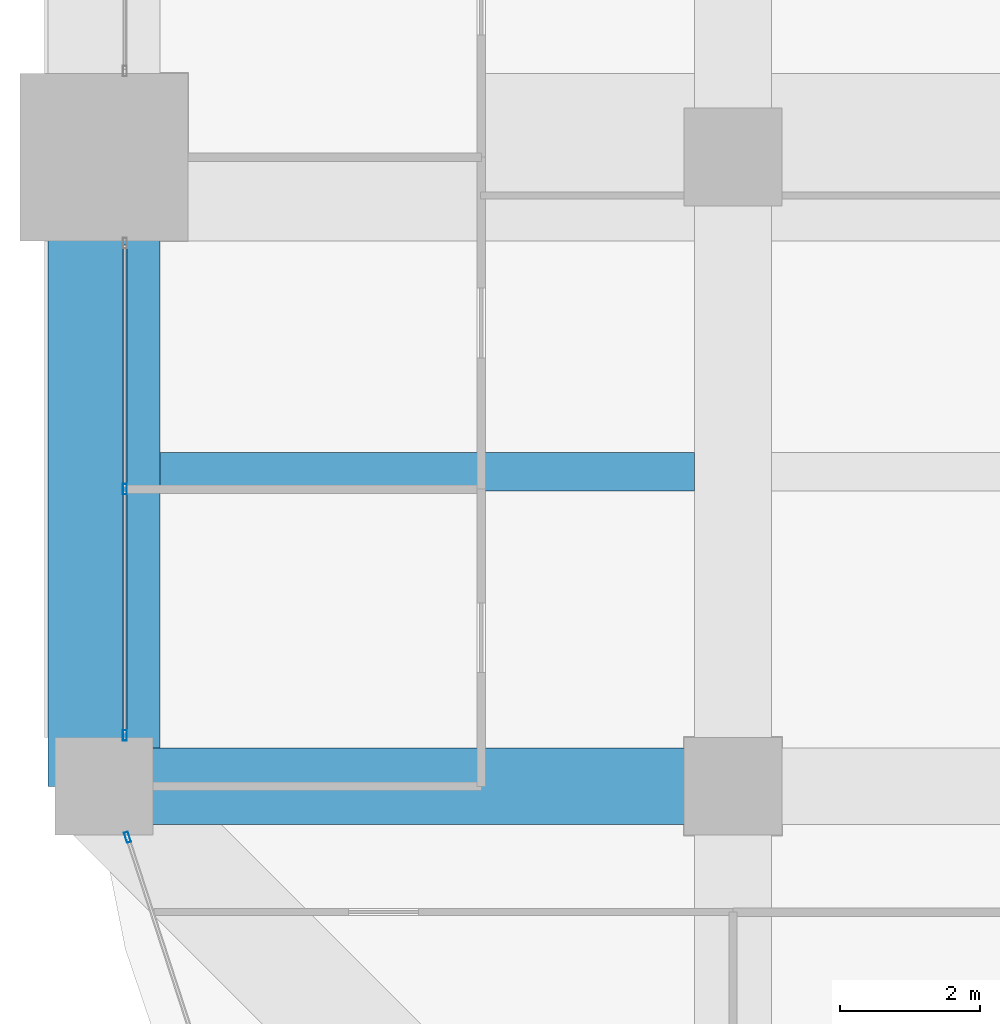
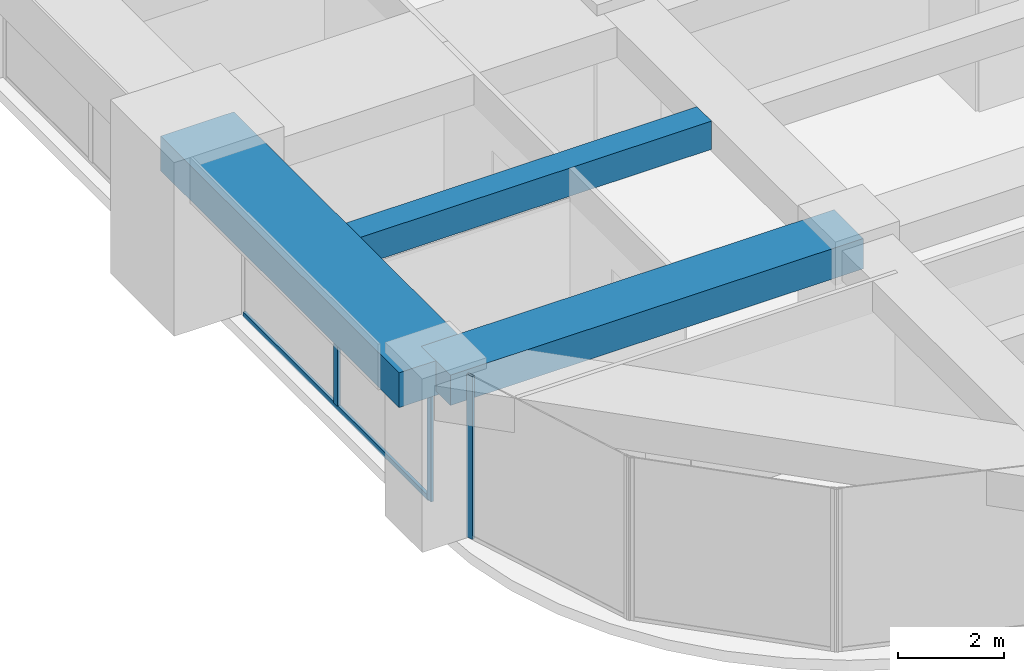
# One storey, part 4 of 35: 4 members, 3 beams, 2 elements without a shape of their own.
"""IFC4 building model written with IfcOpenShell, lengths in metres."""

from ifc_helpers import new_model, si_unit, direction, frame, origin, origin_2d, place, context, subcontext, project, spatial, rectangle, hollow_rectangle, extrude, material, material_profile, profile_set, type_object, element, aggregate, save


model = new_model("IFC4")

# Units and contexts
model_context = context("Model", 3, precision=1e-05, world=origin(), true_north=direction((0.0, 1.0)))
body_context = subcontext(model_context, "Body", "Model", "MODEL_VIEW")
ifc_project = project(units=[si_unit("LENGTHUNIT", "METRE"), si_unit("AREAUNIT", "SQUARE_METRE"), si_unit("VOLUMEUNIT", "CUBIC_METRE"), si_unit("PLANEANGLEUNIT", "RADIAN"), si_unit("MASSUNIT", "GRAM", prefix="KILO")], contexts=[model_context])

# Site, building, storey
site_placement = place(None, origin())
site = spatial("IfcSite", under=ifc_project, at=site_placement, CompositionType="ELEMENT")
building_placement = place(site_placement, origin())
building = spatial("IfcBuilding", under=site, at=building_placement, Name="Zorevar Civic Tower", CompositionType="ELEMENT")
storey_placement = place(building_placement, frame((0.0, 0.0, 222.199951171875)))
storey = spatial("IfcBuildingStorey", under=building, at=storey_placement, Name="L54", CompositionType="ELEMENT", Elevation=222.199951171875)

# Beams
ifc_material_1 = material(Name="Concrete C50/60", Category="concrete")
ifc_material_profile_1 = material_profile(ifc_material_1, rectangle(XDim=1.10009765625, YDim=0.699951171875, at=origin_2d()), Name="RC 1100x700")
ifc_profile_set_1 = profile_set([ifc_material_profile_1], Name="Concrete C50/60")
beam_type_1 = type_object("IfcBeamType", Name="Beam RC 1100x700", PredefinedType="BEAM", material=ifc_profile_set_1)
beam_1_placement = place(storey_placement, frame((0.0, 9.0, 3.400146484375), z_axis=(1.0, 0.0, 0.0), x_axis=(0.0, 1.0, 0.0)))
element("IfcBeam", 1, at=beam_1_placement, inside=storey, type_object=beam_type_1, Name="Girder L55", PredefinedType="BEAM", context=body_context, shape_type="SweptSolid", body=[
    extrude(rectangle(XDim=1.10009765625, YDim=0.699951171875, at=origin_2d()), origin(), (0.0, 0.0, 1.0), 9.0),
])
ifc_material_2 = material(Name="Concrete C50/60", Category="concrete")
ifc_material_profile_2 = material_profile(ifc_material_2, rectangle(XDim=0.550048828125, YDim=0.64990234375, at=origin_2d()), Name="RC 550x650")
ifc_profile_set_2 = profile_set([ifc_material_profile_2], Name="Concrete C50/60")
beam_type_2 = type_object("IfcBeamType", Name="Beam RC 550x650", PredefinedType="BEAM", material=ifc_profile_set_2)
beam_2_placement = place(storey_placement, frame((0.800048828125, 13.5, 3.425048828125), z_axis=(1.0, 0.0, 0.0), x_axis=(0.0, 1.0, 0.0)))
element("IfcBeam", 2, at=beam_2_placement, inside=storey, type_object=beam_type_2, Name="Secondary beam L55", PredefinedType="BEAM", context=body_context, shape_type="SweptSolid", body=[
    extrude(rectangle(XDim=0.550048828125, YDim=0.64990234375, at=origin_2d()), origin(), (0.0, 0.0, 1.0), 7.64990234375),
])

# Curtain wall, members
ifc_material_3 = material(Name="Dark grey solar-control glass in black aluminium frame", Category="aluminium")
curtain_wall_type = type_object("IfcCurtainWallType", Name="Curtain wall CW4 high zone", PredefinedType="NOTDEFINED", material=ifc_material_3)
curtain_wall_1_placement = place(storey_placement, origin())
curtain_wall_1 = element("IfcCurtainWall", 3, at=curtain_wall_1_placement, inside=storey, type_object=curtain_wall_type, Name="CW4 L54", PredefinedType="NOTDEFINED")
ifc_material_4 = material(Name="Aluminium, black anodised", Category="aluminium")
ifc_material_profile_3 = material_profile(ifc_material_4, hollow_rectangle(XDim=0.06005859375, YDim=0.14990234375, WallThickness=0.00390625, at=origin_2d()), Name="AL 150x60x4")
ifc_profile_set_3 = profile_set([ifc_material_profile_3], Name="Aluminium, black anodised")
member_type_1 = type_object("IfcMemberType", Name="CW4 mullion AL 150x60x4", PredefinedType="MULLION", material=ifc_profile_set_3)
member_1_placement = place(storey_placement, frame((0.300048828125, 9.72998046875, 0.0), z_axis=(0.0, 0.0, 1.0), x_axis=(-1.0, 0.0, 0.0)))
member_1 = element("IfcMember", 4, at=member_1_placement, type_object=member_type_1, Name="CW4 mullion 1", PredefinedType="MULLION", context=body_context, shape_type="SweptSolid", body=[
    extrude(hollow_rectangle(XDim=0.06005859375, YDim=0.14990234375, WallThickness=0.00390625, at=origin_2d()), origin(), (0.0, 0.0, 1.0), 2.949951171875),
])
member_2_placement = place(storey_placement, frame((0.300048828125, 13.25, 0.06005859375), z_axis=(0.0, 0.0, 1.0), x_axis=(-1.0, 0.0, 0.0)))
member_2 = element("IfcMember", 5, at=member_2_placement, type_object=member_type_1, Name="CW4 mullion 2", PredefinedType="MULLION", context=body_context, shape_type="SweptSolid", body=[
    extrude(hollow_rectangle(XDim=0.06005859375, YDim=0.14990234375, WallThickness=0.00390625, at=origin_2d()), origin(), (0.0, 0.0, 1.0), 2.889892578125),
])

# Curtain wall, member
curtain_wall_2_placement = place(storey_placement, origin())
curtain_wall_2 = element("IfcCurtainWall", 6, at=curtain_wall_2_placement, inside=storey, type_object=curtain_wall_type, Name="CW4 L54", PredefinedType="NOTDEFINED")
member_3_placement = place(storey_placement, frame((0.337646484375, 8.271484375, 0.0), z_axis=(0.0, 0.0, 1.0), x_axis=(0.950644749916, 0.310281419775, 0.0)))
member_3 = element("IfcMember", 7, at=member_3_placement, type_object=member_type_1, Name="CW4 mullion 1", PredefinedType="MULLION", context=body_context, shape_type="SweptSolid", body=[
    extrude(hollow_rectangle(XDim=0.06005859375, YDim=0.14990234375, WallThickness=0.00390625, at=origin_2d()), origin(), (0.0, 0.0, 1.0), 3.75),
])
aggregate(curtain_wall_2, [member_3])

# Member
ifc_material_5 = material(Name="Aluminium, black anodised", Category="aluminium")
ifc_material_profile_4 = material_profile(ifc_material_5, hollow_rectangle(XDim=0.06005859375, YDim=0.1201171875, WallThickness=0.0029296875, at=origin_2d()), Name="AL 120x60x3")
ifc_profile_set_4 = profile_set([ifc_material_profile_4], Name="Aluminium, black anodised")
member_type_2 = type_object("IfcMemberType", Name="CW4 transom AL 120x60x3", PredefinedType="USERDEFINED", material=ifc_profile_set_4)
member_4_placement = place(storey_placement, frame((0.300048828125, 9.760009765625, 0.030029296875), z_axis=(0.0, 1.0, 0.0), x_axis=(-1.0, 0.0, 0.0)))
member_4 = element("IfcMember", 8, at=member_4_placement, type_object=member_type_2, Name="CW4 sill transom", ObjectType="TRANSOM", PredefinedType="USERDEFINED", context=body_context, shape_type="SweptSolid", body=[
    extrude(hollow_rectangle(XDim=0.06005859375, YDim=0.1201171875, WallThickness=0.0029296875, at=origin_2d()), origin(), (0.0, 0.0, 1.0), 6.97998046875),
])

aggregate(curtain_wall_1, [member_1, member_2, member_4])

# Beam
ifc_material_6 = material(Name="Concrete C50/60", Category="concrete")
ifc_material_profile_5 = material_profile(ifc_material_6, rectangle(XDim=1.60009765625, YDim=0.800048828125, at=origin_2d()), Name="RC 1600x800")
ifc_profile_set_5 = profile_set([ifc_material_profile_5], Name="Concrete C50/60")
beam_type_3 = type_object("IfcBeamType", Name="Edge beam RC 1600x800", PredefinedType="SPANDREL", material=ifc_profile_set_5)
beam_3_placement = place(storey_placement, frame((0.0, 9.0, 3.35009765625), z_axis=(0.0, 1.0, 0.0), x_axis=(-1.0, 0.0, 0.0)))
element("IfcBeam", 9, at=beam_3_placement, inside=storey, type_object=beam_type_3, Name="Edge beam L55", PredefinedType="SPANDREL", context=body_context, shape_type="SweptSolid", body=[
    extrude(rectangle(XDim=1.60009765625, YDim=0.800048828125, at=origin_2d()), origin(), (0.0, 0.0, 1.0), 9.0),
])

save(model, "model.ifc")
